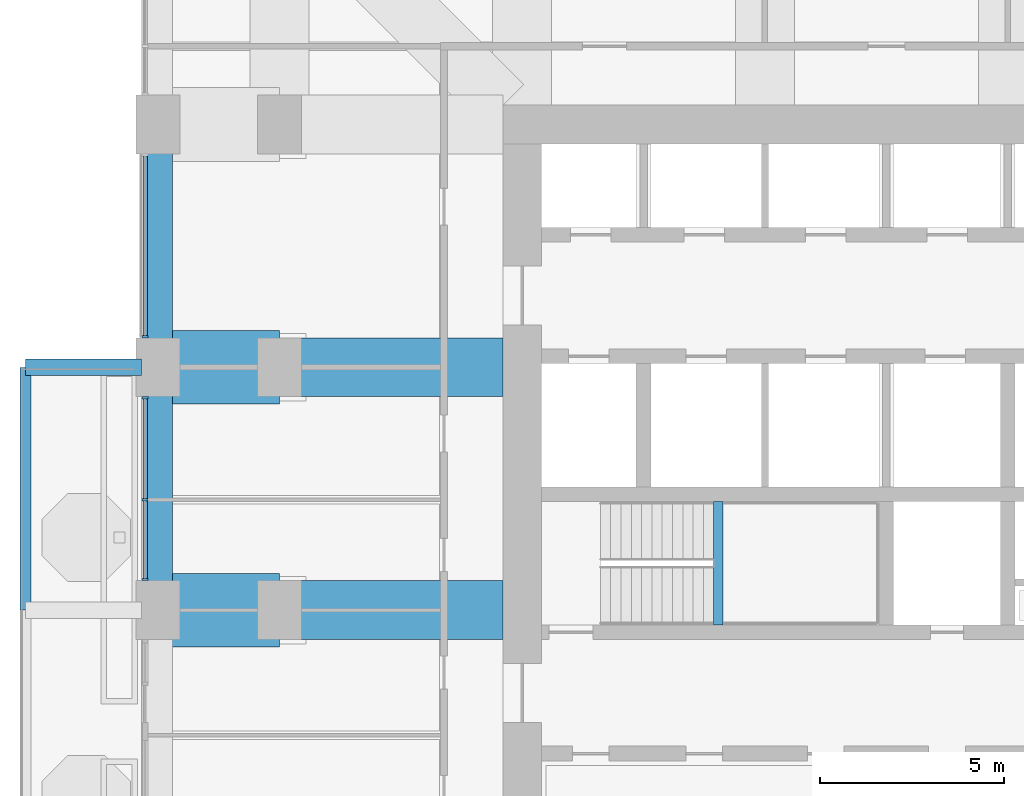
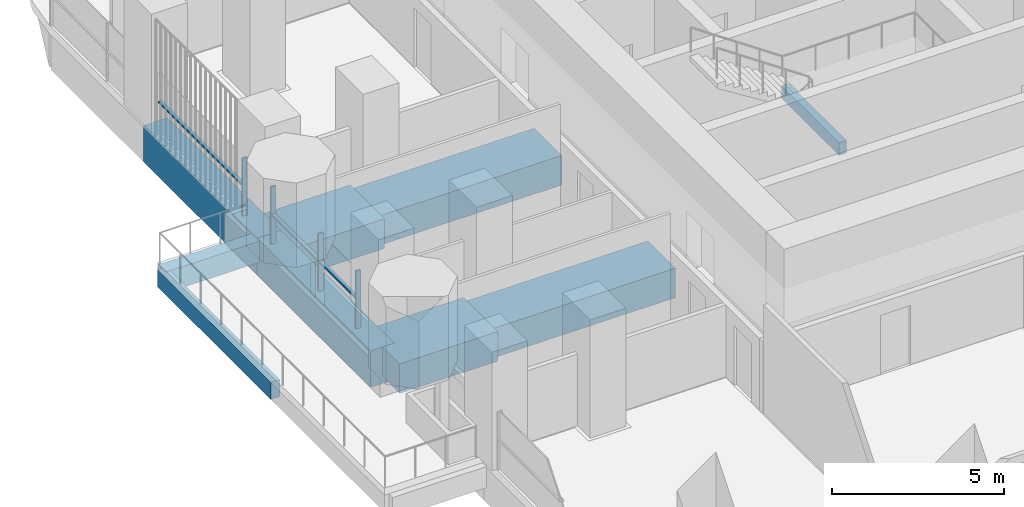
# One storey, part 4 of 20: 9 beams, 7 members, 2 elements without a shape of their own.
"""IFC4 building model written with IfcOpenShell, lengths in metres."""

from ifc_helpers import new_model, si_unit, direction, frame, origin, origin_2d, place, context, subcontext, project, spatial, rectangle, extrude, material, material_profile, profile_set, type_object, element, aggregate, save


model = new_model("IFC4")

# Units and contexts
model_context = context("Model", 3, precision=1e-05, world=origin(), true_north=direction((0.0, 1.0)))
body_context = subcontext(model_context, "Body", "Model", "MODEL_VIEW")
ifc_project = project(units=[si_unit("LENGTHUNIT", "METRE"), si_unit("AREAUNIT", "SQUARE_METRE"), si_unit("VOLUMEUNIT", "CUBIC_METRE"), si_unit("PLANEANGLEUNIT", "RADIAN"), si_unit("MASSUNIT", "GRAM", prefix="KILO")], contexts=[model_context])

# Site, building, storey
site_placement = place(None, origin())
site = spatial("IfcSite", under=ifc_project, at=site_placement, CompositionType="ELEMENT")
building_placement = place(site_placement, origin())
building = spatial("IfcBuilding", under=site, at=building_placement, Name="Cobogo Forest Laboratory Tower", CompositionType="ELEMENT")
storey_placement = place(building_placement, frame((0.0, 0.0, 218.699951171875)))
storey = spatial("IfcBuildingStorey", under=building, at=storey_placement, Name="L50", CompositionType="ELEMENT", Elevation=218.699951171875)

# Beams
ifc_material_1 = material(Name="Concrete HA-40 (C40/50)", Category="concrete")
ifc_material_profile_1 = material_profile(ifc_material_1, rectangle(XDim=0.449951171875, YDim=0.75, at=origin_2d()), Name="RC 450x750")
ifc_profile_set_1 = profile_set([ifc_material_profile_1], Name="Concrete HA-40 (C40/50)")
beam_type_1 = type_object("IfcBeamType", Name="Balcony cantilever beam 450x750", PredefinedType="BEAM", material=ifc_profile_set_1)
beam_1_placement = place(storey_placement, frame((2.85009765625, 26.39990234375, -0.625), z_axis=(-1.0, 0.0, 0.0), x_axis=(0.0, -1.0, 0.0)))
element("IfcBeam", 1, at=beam_1_placement, inside=storey, type_object=beam_type_1, Name="CB1 BAL-W1-C3 L50", PredefinedType="BEAM", context=body_context, shape_type="SweptSolid", body=[
    extrude(rectangle(XDim=0.449951171875, YDim=0.75, at=origin_2d()), origin(), (0.0, 0.0, 1.0), 3.150146484375),
])
ifc_material_profile_2 = material_profile(ifc_material_1, rectangle(XDim=0.300048828125, YDim=0.60009765625, at=origin_2d()), Name="RC 300x600")
ifc_profile_set_2 = profile_set([ifc_material_profile_2], Name="Concrete HA-40 (C40/50)")
beam_type_2 = type_object("IfcBeamType", Name="Balcony edge beam 300x600", PredefinedType="BEAM", material=ifc_profile_set_2)
beam_2_placement = place(storey_placement, frame((-0.300048828125, 19.800048828125, -0.550048828125), z_axis=(0.0, 1.0, 0.0), x_axis=(-1.0, 0.0, 0.0)))
element("IfcBeam", 2, at=beam_2_placement, inside=storey, type_object=beam_type_2, Name="BB1 BAL-W1-T2 L50", PredefinedType="BEAM", context=body_context, shape_type="SweptSolid", body=[
    extrude(rectangle(XDim=0.300048828125, YDim=0.60009765625, at=origin_2d()), origin(), (0.0, 0.0, 1.0), 6.599853515625),
])
ifc_material_2 = material(Name="Concrete HA-50 (C50/60)", Category="concrete")
ifc_material_profile_3 = material_profile(ifc_material_2, rectangle(XDim=2.0, YDim=1.050048828125, at=origin_2d()), Name="RC 2000x1050")
ifc_profile_set_3 = profile_set([ifc_material_profile_3], Name="Concrete HA-50 (C50/60)")
beam_type_3 = type_object("IfcBeamType", Name="End-bay wide beam 2000x1050", PredefinedType="BEAM", material=ifc_profile_set_3)
for number, where, z_axis, x_axis, name in (
    (3, (3.300048828125, 19.800048828125, -0.824951171875), (1.0, 0.0, 0.0), (0.0, 1.0, 0.0), "RB7 R-D-W-X L50"),
    (4, (3.300048828125, 26.39990234375, -0.824951171875), (1.0, 0.0, 0.0), (0.0, 1.0, 0.0), "RB7 R-E-W-X L50"),
):
    element("IfcBeam", number, at=place(storey_placement, frame(where, z_axis=z_axis, x_axis=x_axis)), inside=storey, type_object=beam_type_3, Name=name, PredefinedType="BEAM", context=body_context, shape_type="SweptSolid", body=[
        extrude(rectangle(XDim=2.0, YDim=1.050048828125, at=origin_2d()), origin(), (0.0, 0.0, 1.0), 3.300048828125),
    ])
ifc_material_profile_4 = material_profile(ifc_material_1, rectangle(XDim=0.25, YDim=0.449951171875, at=origin_2d()), Name="RC 250x450")
ifc_profile_set_4 = profile_set([ifc_material_profile_4], Name="Concrete HA-40 (C40/50)")
beam_type_4 = type_object("IfcBeamType", Name="LB1 landing beam 250x450", PredefinedType="BEAM", material=ifc_profile_set_4)
beam_3_placement = place(storey_placement, frame((18.530029296875, 19.39990234375, 1.675048828125), z_axis=(0.0, 1.0, 0.0), x_axis=(-1.0, 0.0, 0.0)))
element("IfcBeam", 5, at=beam_3_placement, inside=storey, type_object=beam_type_4, Name="Landing beam ST1 L50", PredefinedType="BEAM", context=body_context, shape_type="SweptSolid", body=[
    extrude(rectangle(XDim=0.25, YDim=0.449951171875, at=origin_2d()), origin(), (0.0, 0.0, 1.0), 3.35009765625),
])
ifc_material_profile_5 = material_profile(ifc_material_2, rectangle(XDim=1.60009765625, YDim=1.050048828125, at=origin_2d()), Name="RC 1600x1050")
ifc_profile_set_5 = profile_set([ifc_material_profile_5], Name="Concrete HA-50 (C50/60)")
beam_type_5 = type_object("IfcBeamType", Name="Laboratory floor wide beam 1600x1050", PredefinedType="BEAM", material=ifc_profile_set_5)
for number, where, z_axis, x_axis, name in (
    (6, (12.675048828125, 19.800048828125, -0.824951171875), (-1.0, 0.0, 0.0), (0.0, -1.0, 0.0), "RB8 R-D-W L50"),
    (7, (12.675048828125, 26.39990234375, -0.824951171875), (-1.0, 0.0, 0.0), (0.0, -1.0, 0.0), "RB8 R-E-W L50"),
):
    element("IfcBeam", number, at=place(storey_placement, frame(where, z_axis=z_axis, x_axis=x_axis)), inside=storey, type_object=beam_type_5, Name=name, PredefinedType="BEAM", context=body_context, shape_type="SweptSolid", body=[
        extrude(rectangle(XDim=1.60009765625, YDim=1.050048828125, at=origin_2d()), origin(), (0.0, 0.0, 1.0), 6.074951171875),
    ])

# Curtain wall, member
ifc_material_3 = material(Name="Aluminium curtain wall", Category="aluminium")
curtain_wall_type = type_object("IfcCurtainWallType", Name="CW-2 unitised curtain wall, solar control glazing, laboratory floors zones C and D", PredefinedType="USERDEFINED", material=ifc_material_3)
curtain_wall_1_placement = place(storey_placement, origin())
curtain_wall_1 = element("IfcCurtainWall", 8, at=curtain_wall_1_placement, inside=storey, type_object=curtain_wall_type, Name="Curtain wall 25 L50", ObjectType="UNITISED CURTAIN WALL", PredefinedType="USERDEFINED")
ifc_material_4 = material(Name="Aluminium mullion", Category="aluminium")
ifc_material_profile_6 = material_profile(ifc_material_4, rectangle(XDim=0.06005859375, YDim=0.159912109375, at=origin_2d()), Name="AL 60x160")
ifc_profile_set_6 = profile_set([ifc_material_profile_6], Name="Aluminium mullion")
member_type_1 = type_object("IfcMemberType", Name="MU-1 aluminium mullion 60x160", PredefinedType="MULLION", material=ifc_profile_set_6)
member_1_placement = place(storey_placement, frame((2.949951171875, 27.22998046875, 0.0), z_axis=(0.0, 0.0, 1.0), x_axis=(0.0, -1.0, 0.0)))
member_1 = element("IfcMember", 9, at=member_1_placement, type_object=member_type_1, Name="CW-2 mullion 2", PredefinedType="MULLION", context=body_context, shape_type="SweptSolid", body=[
    extrude(rectangle(XDim=0.06005859375, YDim=0.159912109375, at=origin_2d()), origin(), (0.0, 0.0, 1.0), 2.050048828125),
])

# Curtain wall, members
curtain_wall_2_placement = place(storey_placement, origin())
curtain_wall_2 = element("IfcCurtainWall", 10, at=curtain_wall_2_placement, inside=storey, type_object=curtain_wall_type, Name="Curtain wall 26 L50", ObjectType="UNITISED CURTAIN WALL", PredefinedType="USERDEFINED")
member_2_placement = place(storey_placement, frame((2.949951171875, 25.570068359375, 0.0), z_axis=(0.0, 0.0, 1.0), x_axis=(0.0, -1.0, 0.0)))
member_2 = element("IfcMember", 11, at=member_2_placement, type_object=member_type_1, Name="CW-2 mullion 1", PredefinedType="MULLION", context=body_context, shape_type="SweptSolid", body=[
    extrude(rectangle(XDim=0.06005859375, YDim=0.159912109375, at=origin_2d()), origin(), (0.0, 0.0, 1.0), 2.050048828125),
])
member_3_placement = place(storey_placement, frame((2.949951171875, 22.800048828125, 0.0), z_axis=(0.0, 0.0, 1.0), x_axis=(0.0, -1.0, 0.0)))
member_3 = element("IfcMember", 12, at=member_3_placement, type_object=member_type_1, Name="CW-2 mullion 2", PredefinedType="MULLION", context=body_context, shape_type="SweptSolid", body=[
    extrude(rectangle(XDim=0.06005859375, YDim=0.159912109375, at=origin_2d()), origin(), (0.0, 0.0, 1.0), 2.050048828125),
])
member_4_placement = place(storey_placement, frame((2.949951171875, 20.6298828125, 0.0), z_axis=(0.0, 0.0, 1.0), x_axis=(0.0, -1.0, 0.0)))
member_4 = element("IfcMember", 13, at=member_4_placement, type_object=member_type_1, Name="CW-2 mullion 3", PredefinedType="MULLION", context=body_context, shape_type="SweptSolid", body=[
    extrude(rectangle(XDim=0.06005859375, YDim=0.159912109375, at=origin_2d()), origin(), (0.0, 0.0, 1.0), 2.050048828125),
])

# Beams
ifc_material_profile_7 = material_profile(ifc_material_1, rectangle(XDim=0.800048828125, YDim=1.300048828125, at=origin_2d()), Name="RC 800x1300")
ifc_profile_set_7 = profile_set([ifc_material_profile_7], Name="Concrete HA-40 (C40/50)")
beam_type_6 = type_object("IfcBeamType", Name="Perimeter edge beam 800x1300", PredefinedType="BEAM", material=ifc_profile_set_7)
beam_4_placement = place(storey_placement, frame((3.300048828125, 19.800048828125, -0.949951171875), z_axis=(0.0, 1.0, 0.0), x_axis=(-1.0, 0.0, 0.0)))
element("IfcBeam", 14, at=beam_4_placement, inside=storey, type_object=beam_type_6, Name="EB2 E-W2 L50", PredefinedType="BEAM", context=body_context, shape_type="SweptSolid", body=[
    extrude(rectangle(XDim=0.800048828125, YDim=1.300048828125, at=origin_2d()), origin(), (0.0, 0.0, 1.0), 6.599853515625),
])
beam_5_placement = place(storey_placement, frame((3.300048828125, 26.39990234375, -0.949951171875), z_axis=(0.0, 1.0, 0.0), x_axis=(-1.0, 0.0, 0.0)))
element("IfcBeam", 15, at=beam_5_placement, inside=storey, type_object=beam_type_6, Name="EB2 E-W3 L50", PredefinedType="BEAM", context=body_context, shape_type="SweptSolid", body=[
    extrude(rectangle(XDim=0.800048828125, YDim=1.300048828125, at=origin_2d()), origin(), (0.0, 0.0, 1.0), 6.60009765625),
])

# Member
ifc_material_5 = material(Name="Aluminium transom", Category="aluminium")
ifc_material_profile_8 = material_profile(ifc_material_5, rectangle(XDim=0.1201171875, YDim=0.06005859375, at=origin_2d()), Name="AL 60x120")
ifc_profile_set_8 = profile_set([ifc_material_profile_8], Name="Aluminium transom")
member_type_2 = type_object("IfcMemberType", Name="TR-1 aluminium transom 60x120", PredefinedType="USERDEFINED", material=ifc_profile_set_8)
member_5_placement = place(storey_placement, frame((2.949951171875, 32.139892578125, 1.050048828125), z_axis=(0.0, -1.0, 0.0), x_axis=(1.0, 0.0, 0.0)))
member_5 = element("IfcMember", 16, at=member_5_placement, type_object=member_type_2, Name="CW-2 transom 1.1", ObjectType="TRANSOM", PredefinedType="USERDEFINED", context=body_context, shape_type="SweptSolid", body=[
    extrude(rectangle(XDim=0.1201171875, YDim=0.06005859375, at=origin_2d()), origin(), (0.0, 0.0, 1.0), 4.8798828125),
])

aggregate(curtain_wall_1, [member_1, member_5])

member_6_placement = place(storey_placement, frame((2.949951171875, 25.5400390625, 1.050048828125), z_axis=(0.0, -1.0, 0.0), x_axis=(1.0, 0.0, 0.0)))
member_6 = element("IfcMember", 17, at=member_6_placement, type_object=member_type_2, Name="CW-2 transom 1.1", ObjectType="TRANSOM", PredefinedType="USERDEFINED", context=body_context, shape_type="SweptSolid", body=[
    extrude(rectangle(XDim=0.1201171875, YDim=0.06005859375, at=origin_2d()), origin(), (0.0, 0.0, 1.0), 2.7099609375),
])

member_7_placement = place(storey_placement, frame((2.949951171875, 22.77001953125, 1.050048828125), z_axis=(0.0, -1.0, 0.0), x_axis=(1.0, 0.0, 0.0)))
member_7 = element("IfcMember", 18, at=member_7_placement, type_object=member_type_2, Name="CW-2 transom 2.1", ObjectType="TRANSOM", PredefinedType="USERDEFINED", context=body_context, shape_type="SweptSolid", body=[
    extrude(rectangle(XDim=0.1201171875, YDim=0.06005859375, at=origin_2d()), origin(), (0.0, 0.0, 1.0), 2.110107421875),
])

aggregate(curtain_wall_2, [member_2, member_3, member_4, member_6, member_7])

save(model, "model.ifc")
